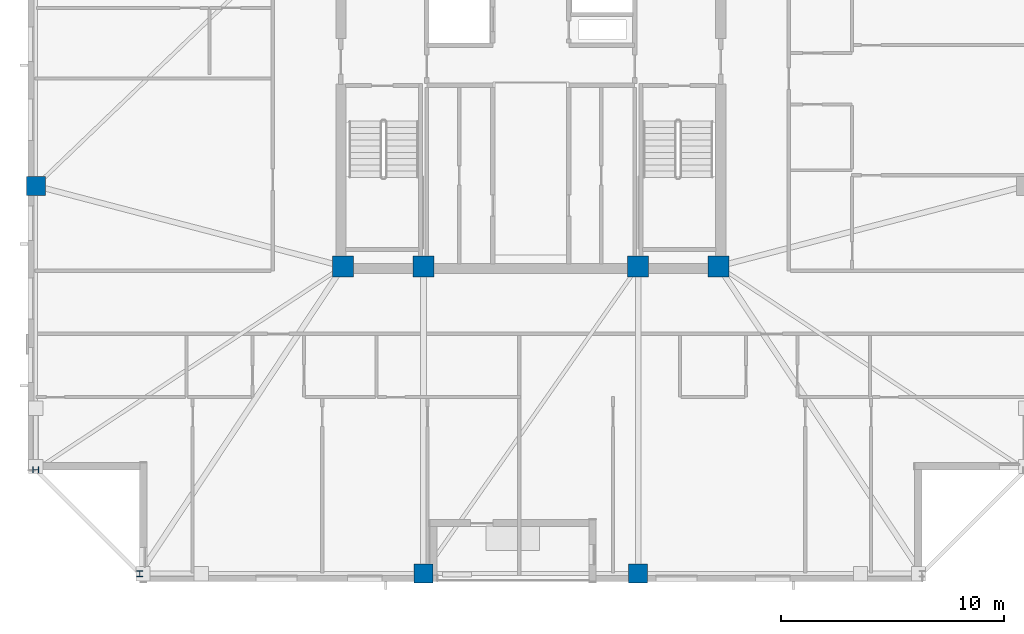
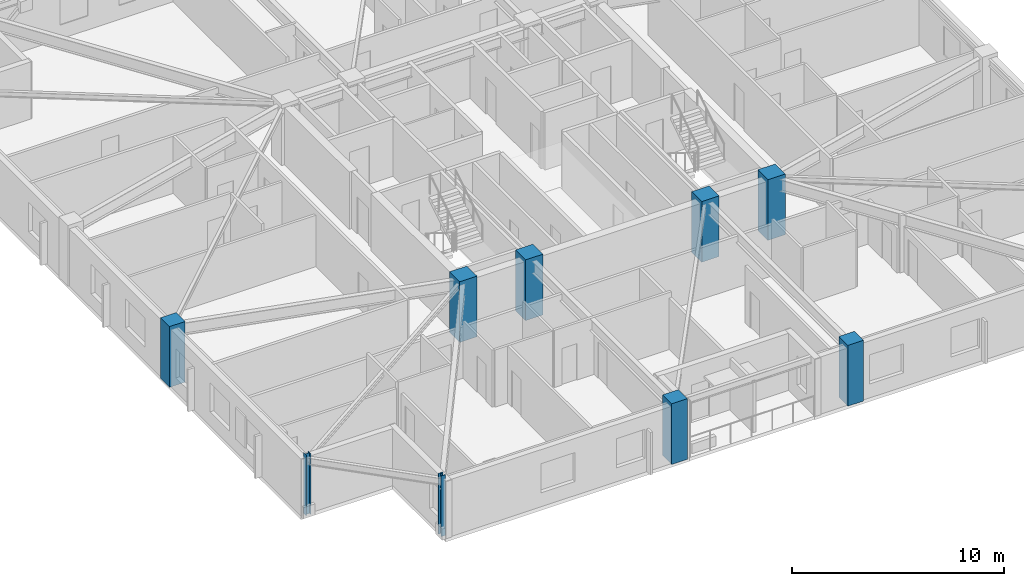
# One storey, part 1 of 17: 9 columns.
"""IFC4 building model written with IfcOpenShell, lengths in metres."""

from ifc_helpers import new_model, si_unit, direction, frame, origin, origin_2d, place, context, subcontext, project, spatial, rectangle, i_section, extrude, material, material_profile, profile_set, type_object, element, save


model = new_model("IFC4")

# Units and contexts
model_context = context("Model", 3, precision=1e-05, world=origin(), true_north=direction((0.0, 1.0)))
body_context = subcontext(model_context, "Body", "Model", "MODEL_VIEW")
ifc_project = project(units=[si_unit("LENGTHUNIT", "METRE"), si_unit("AREAUNIT", "SQUARE_METRE"), si_unit("VOLUMEUNIT", "CUBIC_METRE"), si_unit("PLANEANGLEUNIT", "RADIAN"), si_unit("MASSUNIT", "GRAM", prefix="KILO")], contexts=[model_context])

# Site, building, storey
site_placement = place(None, origin())
site = spatial("IfcSite", under=ifc_project, at=site_placement, CompositionType="ELEMENT")
building_placement = place(site_placement, origin())
building = spatial("IfcBuilding", under=site, at=building_placement, Name="Cairnveth Concourse Tower", CompositionType="ELEMENT")
storey_placement = place(building_placement, frame((0.0, 0.0, 269.0)))
storey = spatial("IfcBuildingStorey", under=building, at=storey_placement, Name="L74", CompositionType="ELEMENT", Elevation=269.0)

# Columns
ifc_material_1 = material(Name="Concrete N65 (65 MPa)", Category="concrete")
ifc_material_profile_1 = material_profile(ifc_material_1, rectangle(XDim=0.949951171875, YDim=0.949951171875, at=origin_2d()), Name="RC-COL-950x950")
ifc_profile_set_1 = profile_set([ifc_material_profile_1], Name="Concrete N65 (65 MPa)")
column_type_1 = type_object("IfcColumnType", Name="CORE COLUMN 950X950", PredefinedType="COLUMN", material=ifc_profile_set_1)
for number, where, z_axis, x_axis, name in (
    (1, (43.60009765625, 30.60009765625, 0.0), (0.0, 0.0, 1.0), (1.0, 0.0, 0.0), "Column CC1 L74"),
    (2, (47.199951171875, 30.60009765625, 0.0), (0.0, 0.0, 1.0), (1.0, 0.0, 0.0), "Column CC2 L74"),
    (3, (56.800048828125, 30.60009765625, 0.0), (0.0, 0.0, 1.0), (1.0, 0.0, 0.0), "Column CC3 L74"),
    (4, (60.39990234375, 30.60009765625, 0.0), (0.0, 0.0, 1.0), (1.0, 0.0, 0.0), "Column CC4 L74"),
):
    element("IfcColumn", number, at=place(storey_placement, frame(where, z_axis=z_axis, x_axis=x_axis)), inside=storey, type_object=column_type_1, Name=name, PredefinedType="COLUMN", context=body_context, shape_type="SweptSolid", body=[
        extrude(rectangle(XDim=0.949951171875, YDim=0.949951171875, at=origin_2d()), origin(), (0.0, 0.0, 1.0), 3.5),
    ])
ifc_material_profile_2 = material_profile(ifc_material_1, rectangle(XDim=0.85009765625, YDim=0.85009765625, at=origin_2d()), Name="RC-COL-850x850")
ifc_profile_set_2 = profile_set([ifc_material_profile_2], Name="Concrete N65 (65 MPa)")
column_type_2 = type_object("IfcColumnType", Name="PERIMETER PIER COLUMN 850X850", PredefinedType="COLUMN", material=ifc_profile_set_2)
for number, where, z_axis, x_axis, name in (
    (5, (47.199951171875, 16.85009765625, 0.0), (0.0, 0.0, 1.0), (1.0, 0.0, 0.0), "Column P-S2 L74"),
    (6, (56.800048828125, 16.85009765625, 0.0), (0.0, 0.0, 1.0), (1.0, 0.0, 0.0), "Column P-S3 L74"),
    (7, (29.85009765625, 34.199951171875, 0.0), (0.0, 0.0, 1.0), (0.0, 1.0, 0.0), "Column P-W3 L74"),
):
    element("IfcColumn", number, at=place(storey_placement, frame(where, z_axis=z_axis, x_axis=x_axis)), inside=storey, type_object=column_type_2, Name=name, PredefinedType="COLUMN", context=body_context, shape_type="SweptSolid", body=[
        extrude(rectangle(XDim=0.85009765625, YDim=0.85009765625, at=origin_2d()), origin(), (0.0, 0.0, 1.0), 3.5),
    ])
ifc_material_2 = material(Name="Steel Grade 350", Category="steel")
ifc_material_profile_3 = material_profile(ifc_material_2, i_section(OverallWidth=0.256103515625, OverallDepth=0.260009765625, WebThickness=0.010498046875, FlangeThickness=0.017333984375, FilletRadius=0.012939453125, at=origin_2d()), Name="250UC89.5")
ifc_profile_set_3 = profile_set([ifc_material_profile_3], Name="Steel Grade 350")
column_type_3 = type_object("IfcColumnType", Name="UNIVERSAL STEEL COLUMN 250UC89.5", PredefinedType="COLUMN", material=ifc_profile_set_3)
for number, where, z_axis, x_axis, name in (
    (8, (34.5, 16.85009765625, 0.0), (0.0, 0.0, 1.0), (1.0, 0.0, 0.0), "Column P-S1 L74"),
    (9, (29.85009765625, 21.5, 0.0), (0.0, 0.0, 1.0), (0.0, 1.0, 0.0), "Column P-W4 L74"),
):
    element("IfcColumn", number, at=place(storey_placement, frame(where, z_axis=z_axis, x_axis=x_axis)), inside=storey, type_object=column_type_3, Name=name, PredefinedType="COLUMN", context=body_context, shape_type="SweptSolid", body=[
        extrude(i_section(OverallWidth=0.256103515625, OverallDepth=0.260009765625, WebThickness=0.010498046875, FlangeThickness=0.017333984375, FilletRadius=0.012939453125, at=origin_2d()), origin(), (0.0, 0.0, 1.0), 3.5),
    ])

save(model, "model.ifc")
